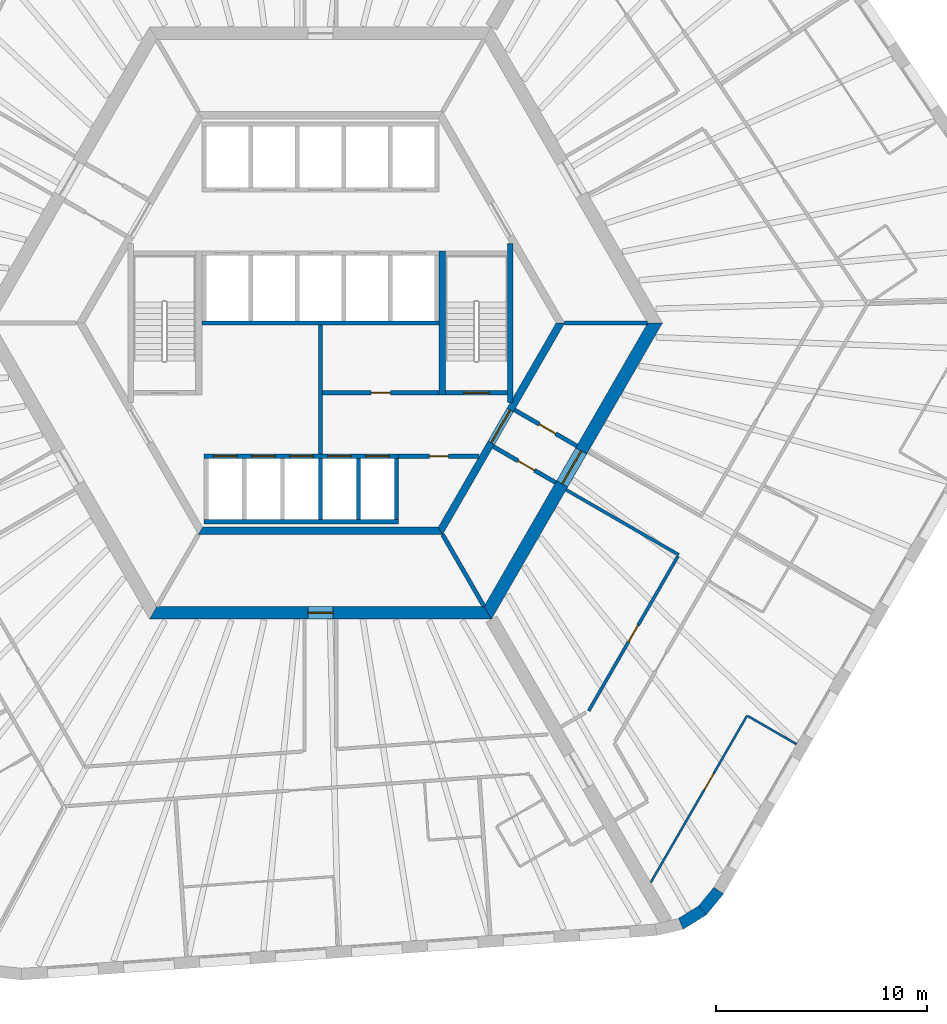
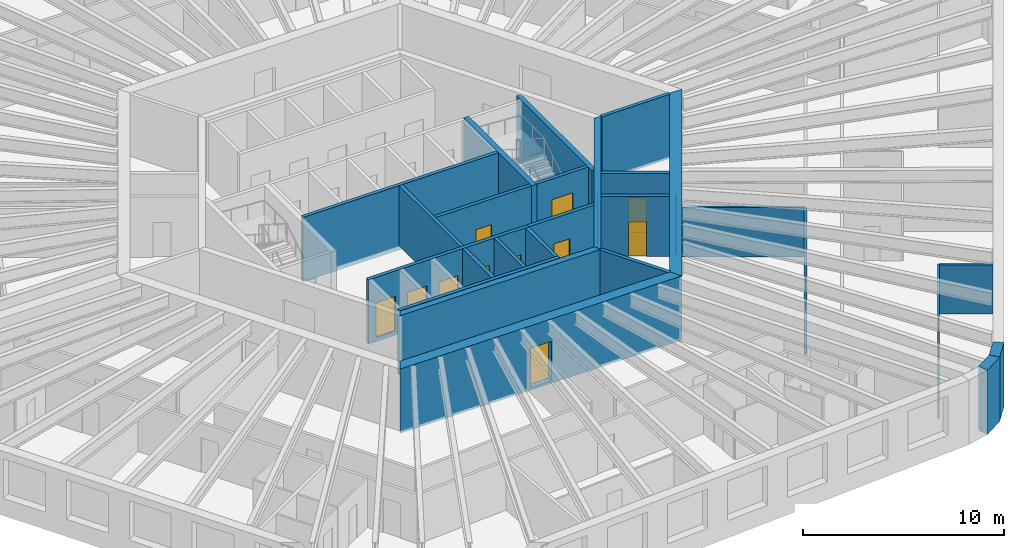
# One storey, part 5 of 12: 26 walls, 15 doors, 15 openings.
"""IFC4 building model written with IfcOpenShell, lengths in metres."""

from ifc_helpers import new_model, si_unit, direction, frame, frame_2d, origin, place, context, subcontext, project, spatial, polyline, rectangle, outline, extrude, material, layer, layer_set, type_object, element, fill, save


model = new_model("IFC4")

# Units and contexts
model_context = context("Model", 3, precision=1e-05, world=origin(), true_north=direction((0.0, 1.0)))
body_context = subcontext(model_context, "Body", "Model", "MODEL_VIEW")
ifc_project = project(units=[si_unit("LENGTHUNIT", "METRE"), si_unit("AREAUNIT", "SQUARE_METRE"), si_unit("VOLUMEUNIT", "CUBIC_METRE"), si_unit("PLANEANGLEUNIT", "RADIAN"), si_unit("MASSUNIT", "GRAM", prefix="KILO")], contexts=[model_context])

# Site, building, storey
site_placement = place(None, origin())
site = spatial("IfcSite", under=ifc_project, at=site_placement, CompositionType="ELEMENT")
building_placement = place(site_placement, origin())
building = spatial("IfcBuilding", under=site, at=building_placement, Name="Tarnside Tower", CompositionType="ELEMENT")
storey_placement = place(building_placement, frame((0.0, 0.0, 115.5)))
storey = spatial("IfcBuildingStorey", under=building, at=storey_placement, Name="L26", CompositionType="ELEMENT", Elevation=115.5)

# Wall
ifc_material_1 = material(Name="Concrete C50/60", Category="concrete")
ifc_layer_1 = layer(ifc_material_1, 0.35009765625)
ifc_layer_set_1 = layer_set([ifc_layer_1], Name="Core block wall 350 C50/60")
wall_type_1 = type_object("IfcWallType", Name="Core block wall 350 C50/60", PredefinedType="SHEAR", material=ifc_layer_set_1)
wall_1_placement = place(storey_placement, frame((-5.672607421875, -9.824951171875, -0.14990234375), z_axis=(0.0, 0.0, 1.0), x_axis=(1.0, 0.0, 0.0)))
element("IfcWall", 1, at=wall_1_placement, inside=storey, type_object=wall_type_1, Name="L26 core block wall face 4", PredefinedType="SHEAR", context=body_context, shape_type="SweptSolid", body=[
    extrude(outline(polyline([(-0.10107421875, -0.175048828125), (11.4462890625, -0.175048828125), (11.244140625, 0.175048828125), (0.10107421875, 0.175048828125), (-0.10107421875, -0.175048828125)])), origin(), (0.0, 0.0, 1.0), 3.89990234375),
])

# Wall, opening, door
wall_2_placement = place(storey_placement, frame((5.672607421875, -9.824951171875, -0.14990234375), z_axis=(0.0, 0.0, 1.0), x_axis=(0.499995046907, 0.866028263435, 0.0)))
wall_2 = element("IfcWall", 2, at=wall_2_placement, inside=storey, type_object=wall_type_1, Name="L26 core block wall face 5", PredefinedType="SHEAR", context=body_context, shape_type="SweptSolid", body=[
    extrude(outline(polyline([(-0.10107421875, -0.175048828125), (11.44580078125, -0.175048828125), (11.24365234375, 0.175048828125), (0.10107421875, 0.175048828125), (-0.10107421875, -0.175048828125)])), origin(), (0.0, 0.0, 1.0), 3.89990234375),
])
opening_1_placement = place(wall_2_placement, frame((4.80126953125, 0.0, 0.14990234375)))
opening_1 = element("IfcOpeningElement", 3, at=opening_1_placement, cuts=wall_2, Name="Opening CD-FFL", PredefinedType="OPENING", context=body_context, shape_type="SweptSolid", body=[
    extrude(rectangle(XDim=1.800048828125, YDim=2.39990234375, at=frame_2d((0.89990234375, 1.199951171875))), frame((0.0, 0.18505859375, 0.0), z_axis=(0.0, -1.0, 0.0), x_axis=(1.0, 0.0, 0.0)), (0.0, 0.0, 1.0), 0.3701171875),
])
ifc_material_2 = material(Name="Steel fire door", Category="steel")
door_type_1 = type_object("IfcDoorType", Name="Firefighting lobby double door FD60S 1800x2400", OperationType="NOTDEFINED", PredefinedType="DOOR", material=ifc_material_2)
door_1_placement = place(opening_1_placement, origin())
door_1 = element("IfcDoor", 4, at=door_1_placement, inside=storey, type_object=door_type_1, Name="L26 lobby block door P4", OperationType="DOUBLE_DOOR_SINGLE_SWING", OverallHeight=2.39990234375, OverallWidth=1.800048828125, PredefinedType="DOOR", context=body_context, shape_type="SweptSolid", body=[
    extrude(rectangle(XDim=1.800048828125, YDim=2.39990234375, at=frame_2d((0.89990234375, 1.199951171875))), frame((0.0, 0.02490234375, 0.0), z_axis=(0.0, -1.0, 0.0), x_axis=(1.0, 0.0, 0.0)), (0.0, 0.0, 1.0), 0.050048828125),
])
fill(opening_1, door_1)

ifc_material_3 = material(Name="Concrete C40/50", Category="concrete")
ifc_layer_2 = layer(ifc_material_3, 0.199951171875)
ifc_layer_set_2 = layer_set([ifc_layer_2], Name="Core room partition 200 C40/50")
wall_type_2 = type_object("IfcWallType", Name="Core room partition 200 C40/50", PredefinedType="PARTITIONING", material=ifc_layer_set_2)
wall_3_placement = place(storey_placement, frame((0.10009765625, -3.300048828125, 0.0), z_axis=(0.0, 0.0, 1.0), x_axis=(1.0, 0.0, 0.0)))
wall_3 = element("IfcWall", 5, at=wall_3_placement, inside=storey, type_object=wall_type_2, Name="L26 core partition R3S1", PredefinedType="PARTITIONING", context=body_context, shape_type="SweptSolid", body=[
    extrude(rectangle(XDim=5.5, YDim=0.199951171875, at=frame_2d((2.75, 0.0))), origin(), (0.0, 0.0, 1.0), 3.64990234375),
])
opening_2_placement = place(wall_3_placement, frame((2.300048828125, 0.0, 0.0)))
opening_2 = element("IfcOpeningElement", 6, at=opening_2_placement, cuts=wall_3, Name="Opening CD-room", PredefinedType="OPENING", context=body_context, shape_type="SweptSolid", body=[
    extrude(rectangle(XDim=0.89990234375, YDim=2.10009765625, at=frame_2d((0.449951171875, 1.050048828125))), frame((0.0, 0.10986328125, 0.0), z_axis=(0.0, -1.0, 0.0), x_axis=(1.0, 0.0, 0.0)), (0.0, 0.0, 1.0), 0.219970703125),
])
door_type_2 = type_object("IfcDoorType", Name="Room door FD60 900x2100", OperationType="NOTDEFINED", PredefinedType="DOOR", material=ifc_material_2)
door_2_placement = place(opening_2_placement, origin())
door_2 = element("IfcDoor", 7, at=door_2_placement, inside=storey, type_object=door_type_2, Name="L26 core room door SR1", OperationType="SINGLE_SWING_LEFT", OverallHeight=2.10009765625, OverallWidth=0.89990234375, PredefinedType="DOOR", context=body_context, shape_type="SweptSolid", body=[
    extrude(rectangle(XDim=0.89990234375, YDim=2.10009765625, at=frame_2d((0.449951171875, 1.050048828125))), frame((0.0, 0.02490234375, 0.0), z_axis=(0.0, -1.0, 0.0), x_axis=(1.0, 0.0, 0.0)), (0.0, 0.0, 1.0), 0.050048828125),
])
fill(opening_2, door_2)

# Wall
wall_4_placement = place(storey_placement, frame((0.0, -6.199951171875, 0.0), z_axis=(0.0, 0.0, 1.0), x_axis=(0.0, 1.0, 0.0)))
element("IfcWall", 8, at=wall_4_placement, inside=storey, type_object=wall_type_2, Name="L26 core partition X0", PredefinedType="PARTITIONING", context=body_context, shape_type="SweptSolid", body=[
    extrude(rectangle(XDim=6.099853515625, YDim=0.199951171875, at=frame_2d((3.0498046875, 0.0))), origin(), (0.0, 0.0, 1.0), 3.64990234375),
])

# Wall, opening, door
wall_5_placement = place(storey_placement, frame((3.699951171875, -6.300048828125, 0.0), z_axis=(0.0, 0.0, 1.0), x_axis=(1.0, 0.0, 0.0)))
wall_5 = element("IfcWall", 9, at=wall_5_placement, inside=storey, type_object=wall_type_2, Name="L26 core partition R4X", PredefinedType="PARTITIONING", context=body_context, shape_type="SweptSolid", body=[
    extrude(rectangle(XDim=3.8056640625, YDim=0.199951171875, at=frame_2d((1.90283203125, 0.0))), origin(), (0.0, 0.0, 1.0), 3.64990234375),
])
opening_3_placement = place(wall_5_placement, frame((1.452880859375, 0.0, 0.0)))
opening_3 = element("IfcOpeningElement", 10, at=opening_3_placement, cuts=wall_5, Name="Opening CD-room", PredefinedType="OPENING", context=body_context, shape_type="SweptSolid", body=[
    extrude(rectangle(XDim=0.89990234375, YDim=2.10009765625, at=frame_2d((0.449951171875, 1.050048828125))), frame((0.0, 0.10986328125, 0.0), z_axis=(0.0, -1.0, 0.0), x_axis=(1.0, 0.0, 0.0)), (0.0, 0.0, 1.0), 0.219970703125),
])
door_3_placement = place(opening_3_placement, origin())
door_3 = element("IfcDoor", 11, at=door_3_placement, inside=storey, type_object=door_type_2, Name="L26 core room door RX", OperationType="SINGLE_SWING_LEFT", OverallHeight=2.10009765625, OverallWidth=0.89990234375, PredefinedType="DOOR", context=body_context, shape_type="SweptSolid", body=[
    extrude(rectangle(XDim=0.89990234375, YDim=2.10009765625, at=frame_2d((0.449951171875, 1.050048828125))), frame((0.0, 0.02490234375, 0.0), z_axis=(0.0, -1.0, 0.0), x_axis=(1.0, 0.0, 0.0)), (0.0, 0.0, 1.0), 0.050048828125),
])
fill(opening_3, door_3)

wall_6_placement = place(storey_placement, frame((9.1748046875, -4.10888671875, 0.0), z_axis=(0.0, 0.0, 1.0), x_axis=(0.865989465428, -0.500062241894, 0.0)))
wall_6 = element("IfcWall", 12, at=wall_6_placement, inside=storey, type_object=wall_type_2, Name="L26 core partition AC4L", PredefinedType="PARTITIONING", context=body_context, shape_type="SweptSolid", body=[
    extrude(rectangle(XDim=3.39990234375, YDim=0.199951171875, at=frame_2d((1.699951171875, 0.0))), origin(), (0.0, 0.0, 1.0), 3.64990234375),
])
opening_4_placement = place(wall_6_placement, frame((1.3505859375, 0.0, 0.0)))
opening_4 = element("IfcOpeningElement", 13, at=opening_4_placement, cuts=wall_6, Name="Opening CD-room", PredefinedType="OPENING", context=body_context, shape_type="SweptSolid", body=[
    extrude(rectangle(XDim=0.89990234375, YDim=2.10009765625, at=frame_2d((0.449951171875, 1.050048828125))), frame((0.0, 0.10986328125, 0.0), z_axis=(0.0, -1.0, 0.0), x_axis=(1.0, 0.0, 0.0)), (0.0, 0.0, 1.0), 0.219970703125),
])
door_4_placement = place(opening_4_placement, origin())
door_4 = element("IfcDoor", 14, at=door_4_placement, inside=storey, type_object=door_type_2, Name="L26 core room door AX4L", OperationType="SINGLE_SWING_LEFT", OverallHeight=2.10009765625, OverallWidth=0.89990234375, PredefinedType="DOOR", context=body_context, shape_type="SweptSolid", body=[
    extrude(rectangle(XDim=0.89990234375, YDim=2.10009765625, at=frame_2d((0.449951171875, 1.050048828125))), frame((0.0, 0.02490234375, 0.0), z_axis=(0.0, -1.0, 0.0), x_axis=(1.0, 0.0, 0.0)), (0.0, 0.0, 1.0), 0.050048828125),
])
fill(opening_4, door_4)

wall_7_placement = place(storey_placement, frame((8.1748046875, -5.841064453125, 0.0), z_axis=(0.0, 0.0, 1.0), x_axis=(0.866020560687, -0.500008388397, 0.0)))
wall_7 = element("IfcWall", 15, at=wall_7_placement, inside=storey, type_object=wall_type_2, Name="L26 core partition AC4R", PredefinedType="PARTITIONING", context=body_context, shape_type="SweptSolid", body=[
    extrude(rectangle(XDim=3.39990234375, YDim=0.199951171875, at=frame_2d((1.699951171875, 0.0))), origin(), (0.0, 0.0, 1.0), 3.64990234375),
])
opening_5_placement = place(wall_7_placement, frame((1.349609375, 0.0, 0.0)))
opening_5 = element("IfcOpeningElement", 16, at=opening_5_placement, cuts=wall_7, Name="Opening CD-room", PredefinedType="OPENING", context=body_context, shape_type="SweptSolid", body=[
    extrude(rectangle(XDim=0.89990234375, YDim=2.10009765625, at=frame_2d((0.449951171875, 1.050048828125))), frame((0.0, 0.10986328125, 0.0), z_axis=(0.0, -1.0, 0.0), x_axis=(1.0, 0.0, 0.0)), (0.0, 0.0, 1.0), 0.219970703125),
])
door_5_placement = place(opening_5_placement, origin())
door_5 = element("IfcDoor", 17, at=door_5_placement, inside=storey, type_object=door_type_2, Name="L26 core room door AX4R", OperationType="SINGLE_SWING_LEFT", OverallHeight=2.10009765625, OverallWidth=0.89990234375, PredefinedType="DOOR", context=body_context, shape_type="SweptSolid", body=[
    extrude(rectangle(XDim=0.89990234375, YDim=2.10009765625, at=frame_2d((0.449951171875, 1.050048828125))), frame((0.0, 0.02490234375, 0.0), z_axis=(0.0, -1.0, 0.0), x_axis=(1.0, 0.0, 0.0)), (0.0, 0.0, 1.0), 0.050048828125),
])
fill(opening_5, door_5)

ifc_material_4 = material(Name="Concrete C80/95", Category="concrete")
ifc_layer_3 = layer(ifc_material_4, 0.60009765625)
ifc_layer_set_3 = layer_set([ifc_layer_3], Name="Core wall Z1 600 C80/95")
wall_type_3 = type_object("IfcWallType", Name="Core wall Z1 600 C80/95", PredefinedType="SHEAR", material=ifc_layer_set_3)
wall_8_placement = place(storey_placement, frame((-7.90966796875, -13.699951171875, -0.14990234375), z_axis=(0.0, 0.0, 1.0), x_axis=(1.0, 0.0, 0.0)))
wall_8 = element("IfcWall", 18, at=wall_8_placement, inside=storey, type_object=wall_type_3, Name="L26 core wall face 4", PredefinedType="SHEAR", context=body_context, shape_type="SweptSolid", body=[
    extrude(outline(polyline([(-0.17333984375, -0.300048828125), (15.99267578125, -0.300048828125), (15.64599609375, 0.300048828125), (0.17333984375, 0.300048828125), (-0.17333984375, -0.300048828125)])), origin(), (0.0, 0.0, 1.0), 3.89990234375),
])
opening_6_placement = place(wall_8_placement, frame((7.309814453125, 0.0, 0.14990234375)))
opening_6 = element("IfcOpeningElement", 19, at=opening_6_placement, cuts=wall_8, Name="Opening CD-RSR", PredefinedType="OPENING", context=body_context, shape_type="SweptSolid", body=[
    extrude(rectangle(XDim=1.199951171875, YDim=2.39990234375, at=frame_2d((0.60009765625, 1.199951171875))), frame((0.0, 0.31005859375, 0.0), z_axis=(0.0, -1.0, 0.0), x_axis=(1.0, 0.0, 0.0)), (0.0, 0.0, 1.0), 0.6201171875),
])
door_type_3 = type_object("IfcDoorType", Name="Riser door FD60 1200x2400", OperationType="NOTDEFINED", PredefinedType="DOOR", material=ifc_material_2)
door_6_placement = place(opening_6_placement, origin())
door_6 = element("IfcDoor", 20, at=door_6_placement, inside=storey, type_object=door_type_3, Name="L26 core door S6", OperationType="SINGLE_SWING_LEFT", OverallHeight=2.39990234375, OverallWidth=1.199951171875, PredefinedType="DOOR", context=body_context, shape_type="SweptSolid", body=[
    extrude(rectangle(XDim=1.199951171875, YDim=2.39990234375, at=frame_2d((0.60009765625, 1.199951171875))), frame((0.0, 0.02490234375, 0.0), z_axis=(0.0, -1.0, 0.0), x_axis=(1.0, 0.0, 0.0)), (0.0, 0.0, 1.0), 0.050048828125),
])
fill(opening_6, door_6)

wall_9_placement = place(storey_placement, frame((7.90966796875, -13.699951171875, -0.14990234375), z_axis=(0.0, 0.0, 1.0), x_axis=(0.499999880136, 0.866025472988, 0.0)))
wall_9 = element("IfcWall", 21, at=wall_9_placement, inside=storey, type_object=wall_type_3, Name="L26 core wall face 5", PredefinedType="SHEAR", context=body_context, shape_type="SweptSolid", body=[
    extrude(outline(polyline([(-0.17333984375, -0.300048828125), (15.99267578125, -0.300048828125), (15.64599609375, 0.300048828125), (0.17333984375, 0.300048828125), (-0.17333984375, -0.300048828125)])), origin(), (0.0, 0.0, 1.0), 3.89990234375),
])
opening_7_placement = place(wall_9_placement, frame((7.03857421875, 0.0, 0.14990234375)))
opening_7 = element("IfcOpeningElement", 22, at=opening_7_placement, cuts=wall_9, Name="Opening CD-FFL", PredefinedType="OPENING", context=body_context, shape_type="SweptSolid", body=[
    extrude(rectangle(XDim=1.800048828125, YDim=2.39990234375, at=frame_2d((0.89990234375, 1.199951171875))), frame((0.0, 0.31005859375, 0.0), z_axis=(0.0, -1.0, 0.0), x_axis=(1.0, 0.0, 0.0)), (0.0, 0.0, 1.0), 0.6201171875),
])
door_7_placement = place(opening_7_placement, origin())
door_7 = element("IfcDoor", 23, at=door_7_placement, inside=storey, type_object=door_type_1, Name="L26 core door P4", OperationType="DOUBLE_DOOR_SINGLE_SWING", OverallHeight=2.39990234375, OverallWidth=1.800048828125, PredefinedType="DOOR", context=body_context, shape_type="SweptSolid", body=[
    extrude(rectangle(XDim=1.800048828125, YDim=2.39990234375, at=frame_2d((0.89990234375, 1.199951171875))), frame((0.0, 0.02490234375, 0.0), z_axis=(0.0, -1.0, 0.0), x_axis=(1.0, 0.0, 0.0)), (0.0, 0.0, 1.0), 0.050048828125),
])
fill(opening_7, door_7)

# Wall
ifc_material_5 = material(Name="Gypsum board partition on steel studs", Category="steel")
ifc_layer_4 = layer(ifc_material_5, 0.14990234375)
ifc_layer_set_4 = layer_set([ifc_layer_4], Name="Corridor wall 150 EI 60")
wall_type_4 = type_object("IfcWallType", Name="Corridor wall 150 EI 60", PredefinedType="PARTITIONING", material=ifc_layer_set_4)
wall_10_placement = place(storey_placement, frame((11.61376953125, -7.88427734375, 0.0), z_axis=(0.0, 0.0, 1.0), x_axis=(0.866033542371, -0.499985903289, 0.0)))
element("IfcWall", 24, at=wall_10_placement, inside=storey, type_object=wall_type_4, Name="Corridor wall 08066", PredefinedType="PARTITIONING", context=body_context, shape_type="SweptSolid", body=[
    extrude(rectangle(XDim=6.150146484375, YDim=0.14990234375, at=frame_2d((3.0751953125, 0.0))), origin(), (0.0, 0.0, 1.0), 2.98779296875),
])

# Wall, opening, door
wall_11_placement = place(storey_placement, frame((16.90234375, -11.024169921875, 0.0), z_axis=(0.0, 0.0, 1.0), x_axis=(-0.499999527968, -0.866025676312, 0.0)))
wall_11 = element("IfcWall", 25, at=wall_11_placement, inside=storey, type_object=wall_type_4, Name="Corridor wall 08067", PredefinedType="PARTITIONING", context=body_context, shape_type="SweptSolid", body=[
    extrude(rectangle(XDim=8.44091796875, YDim=0.14990234375, at=frame_2d((4.220458984375, 0.0))), origin(), (0.0, 0.0, 1.0), 2.98779296875),
])
opening_8_placement = place(wall_11_placement, frame((3.7705078125, 0.0, 0.0)))
opening_8 = element("IfcOpeningElement", 26, at=opening_8_placement, cuts=wall_11, Name="Opening D-S1", PredefinedType="OPENING", context=body_context, shape_type="SweptSolid", body=[
    extrude(rectangle(XDim=0.89990234375, YDim=2.10009765625, at=frame_2d((0.449951171875, 1.050048828125))), frame((0.0, 0.0849609375, 0.0), z_axis=(0.0, -1.0, 0.0), x_axis=(1.0, 0.0, 0.0)), (0.0, 0.0, 1.0), 0.169921875),
])
ifc_material_6 = material(Name="Timber door leaf", Category="wood")
door_type_4 = type_object("IfcDoorType", Name="Service room door 900 FD30S", OperationType="NOTDEFINED", PredefinedType="DOOR", material=ifc_material_6)
door_8_placement = place(opening_8_placement, origin())
door_8 = element("IfcDoor", 27, at=door_8_placement, inside=storey, type_object=door_type_4, Name="Service door 08047", OperationType="SINGLE_SWING_RIGHT", OverallHeight=2.10009765625, OverallWidth=0.89990234375, PredefinedType="DOOR", context=body_context, shape_type="SweptSolid", body=[
    extrude(rectangle(XDim=0.89990234375, YDim=2.10009765625, at=frame_2d((0.449951171875, 1.050048828125))), frame((0.0, 0.02490234375, 0.0), z_axis=(0.0, -1.0, 0.0), x_axis=(1.0, 0.0, 0.0)), (0.0, 0.0, 1.0), 0.050048828125),
])
fill(opening_8, door_8)

# Wall
ifc_layer_5 = layer(ifc_material_3, 0.199951171875)
ifc_layer_set_5 = layer_set([ifc_layer_5], Name="Lift shaft wall 200 C40/50")
wall_type_5 = type_object("IfcWallType", Name="Lift shaft wall 200 C40/50", PredefinedType="SHEAR", material=ifc_layer_set_5)
wall_12_placement = place(storey_placement, frame((-5.60009765625, 0.0, -0.25), z_axis=(0.0, 0.0, 1.0), x_axis=(1.0, 0.0, 0.0)))
element("IfcWall", 28, at=wall_12_placement, inside=storey, type_object=wall_type_5, Name="L26 lift shaft back wall R2", PredefinedType="SHEAR", context=body_context, shape_type="SweptSolid", body=[
    extrude(rectangle(XDim=11.2001953125, YDim=0.199951171875, at=frame_2d((5.60009765625, 0.0))), origin(), (0.0, 0.0, 1.0), 3.89990234375),
])

# Wall, openings, doors
wall_13_placement = place(storey_placement, frame((-5.5, -6.300048828125, -0.25), z_axis=(0.0, 0.0, 1.0), x_axis=(1.0, 0.0, 0.0)))
wall_13 = element("IfcWall", 29, at=wall_13_placement, inside=storey, type_object=wall_type_5, Name="L26 lift shaft front wall R4", PredefinedType="SHEAR", context=body_context, shape_type="SweptSolid", body=[
    extrude(rectangle(XDim=9.199951171875, YDim=0.199951171875, at=frame_2d((4.60009765625, 0.0))), origin(), (0.0, 0.0, 1.0), 3.89990234375),
])
opening_9_placement = place(wall_13_placement, frame((0.449951171875, 0.0, 0.25)))
opening_9 = element("IfcOpeningElement", 30, at=opening_9_placement, cuts=wall_13, Name="Opening LDF", PredefinedType="OPENING", context=body_context, shape_type="SweptSolid", body=[
    extrude(rectangle(XDim=1.10009765625, YDim=2.10009765625, at=frame_2d((0.550048828125, 1.050048828125))), frame((0.0, 0.10986328125, 0.0), z_axis=(0.0, -1.0, 0.0), x_axis=(1.0, 0.0, 0.0)), (0.0, 0.0, 1.0), 0.219970703125),
])
opening_10_placement = place(wall_13_placement, frame((2.25, 0.0, 0.25)))
opening_10 = element("IfcOpeningElement", 31, at=opening_10_placement, cuts=wall_13, Name="Opening LDF", PredefinedType="OPENING", context=body_context, shape_type="SweptSolid", body=[
    extrude(rectangle(XDim=1.10009765625, YDim=2.10009765625, at=frame_2d((0.550048828125, 1.050048828125))), frame((0.0, 0.10986328125, 0.0), z_axis=(0.0, -1.0, 0.0), x_axis=(1.0, 0.0, 0.0)), (0.0, 0.0, 1.0), 0.219970703125),
])
opening_11_placement = place(wall_13_placement, frame((4.050048828125, 0.0, 0.25)))
opening_11 = element("IfcOpeningElement", 32, at=opening_11_placement, cuts=wall_13, Name="Opening LDF", PredefinedType="OPENING", context=body_context, shape_type="SweptSolid", body=[
    extrude(rectangle(XDim=1.10009765625, YDim=2.10009765625, at=frame_2d((0.550048828125, 1.050048828125))), frame((0.0, 0.10986328125, 0.0), z_axis=(0.0, -1.0, 0.0), x_axis=(1.0, 0.0, 0.0)), (0.0, 0.0, 1.0), 0.219970703125),
])
opening_12_placement = place(wall_13_placement, frame((5.85009765625, 0.0, 0.25)))
opening_12 = element("IfcOpeningElement", 33, at=opening_12_placement, cuts=wall_13, Name="Opening LDF", PredefinedType="OPENING", context=body_context, shape_type="SweptSolid", body=[
    extrude(rectangle(XDim=1.10009765625, YDim=2.10009765625, at=frame_2d((0.550048828125, 1.050048828125))), frame((0.0, 0.10986328125, 0.0), z_axis=(0.0, -1.0, 0.0), x_axis=(1.0, 0.0, 0.0)), (0.0, 0.0, 1.0), 0.219970703125),
])
opening_13_placement = place(wall_13_placement, frame((7.64990234375, 0.0, 0.25)))
opening_13 = element("IfcOpeningElement", 34, at=opening_13_placement, cuts=wall_13, Name="Opening LDF", PredefinedType="OPENING", context=body_context, shape_type="SweptSolid", body=[
    extrude(rectangle(XDim=1.10009765625, YDim=2.10009765625, at=frame_2d((0.550048828125, 1.050048828125))), frame((0.0, 0.10986328125, 0.0), z_axis=(0.0, -1.0, 0.0), x_axis=(1.0, 0.0, 0.0)), (0.0, 0.0, 1.0), 0.219970703125),
])
ifc_material_7 = material(Name="Stainless steel", Category="steel")
door_type_5 = type_object("IfcDoorType", Name="Lift landing door 1100x2100 EI 120", OperationType="NOTDEFINED", PredefinedType="DOOR", material=ifc_material_7)
door_9_placement = place(opening_9_placement, origin())
door_9 = element("IfcDoor", 35, at=door_9_placement, inside=storey, type_object=door_type_5, Name="Firefighting lift 1 landing door L26", OperationType="SLIDING_TO_LEFT", OverallHeight=2.10009765625, OverallWidth=1.10009765625, PredefinedType="DOOR", context=body_context, shape_type="SweptSolid", body=[
    extrude(rectangle(XDim=1.10009765625, YDim=2.10009765625, at=frame_2d((0.550048828125, 1.050048828125))), frame((0.0, 0.02490234375, 0.0), z_axis=(0.0, -1.0, 0.0), x_axis=(1.0, 0.0, 0.0)), (0.0, 0.0, 1.0), 0.050048828125),
])
fill(opening_9, door_9)
door_10_placement = place(opening_10_placement, origin())
door_10 = element("IfcDoor", 36, at=door_10_placement, inside=storey, type_object=door_type_5, Name="Firefighting lift 2 landing door L26", OperationType="SLIDING_TO_LEFT", OverallHeight=2.10009765625, OverallWidth=1.10009765625, PredefinedType="DOOR", context=body_context, shape_type="SweptSolid", body=[
    extrude(rectangle(XDim=1.10009765625, YDim=2.10009765625, at=frame_2d((0.550048828125, 1.050048828125))), frame((0.0, 0.02490234375, 0.0), z_axis=(0.0, -1.0, 0.0), x_axis=(1.0, 0.0, 0.0)), (0.0, 0.0, 1.0), 0.050048828125),
])
fill(opening_10, door_10)
door_11_placement = place(opening_11_placement, origin())
door_11 = element("IfcDoor", 37, at=door_11_placement, inside=storey, type_object=door_type_5, Name="Firefighting lift 3 landing door L26", OperationType="SLIDING_TO_LEFT", OverallHeight=2.10009765625, OverallWidth=1.10009765625, PredefinedType="DOOR", context=body_context, shape_type="SweptSolid", body=[
    extrude(rectangle(XDim=1.10009765625, YDim=2.10009765625, at=frame_2d((0.550048828125, 1.050048828125))), frame((0.0, 0.02490234375, 0.0), z_axis=(0.0, -1.0, 0.0), x_axis=(1.0, 0.0, 0.0)), (0.0, 0.0, 1.0), 0.050048828125),
])
fill(opening_11, door_11)
door_12_placement = place(opening_12_placement, origin())
door_12 = element("IfcDoor", 38, at=door_12_placement, inside=storey, type_object=door_type_5, Name="Firefighting lift 4 landing door L26", OperationType="SLIDING_TO_LEFT", OverallHeight=2.10009765625, OverallWidth=1.10009765625, PredefinedType="DOOR", context=body_context, shape_type="SweptSolid", body=[
    extrude(rectangle(XDim=1.10009765625, YDim=2.10009765625, at=frame_2d((0.550048828125, 1.050048828125))), frame((0.0, 0.02490234375, 0.0), z_axis=(0.0, -1.0, 0.0), x_axis=(1.0, 0.0, 0.0)), (0.0, 0.0, 1.0), 0.050048828125),
])
fill(opening_12, door_12)
door_13_placement = place(opening_13_placement, origin())
door_13 = element("IfcDoor", 39, at=door_13_placement, inside=storey, type_object=door_type_5, Name="Firefighting lift 5 landing door L26", OperationType="SLIDING_TO_LEFT", OverallHeight=2.10009765625, OverallWidth=1.10009765625, PredefinedType="DOOR", context=body_context, shape_type="SweptSolid", body=[
    extrude(rectangle(XDim=1.10009765625, YDim=2.10009765625, at=frame_2d((0.550048828125, 1.050048828125))), frame((0.0, 0.02490234375, 0.0), z_axis=(0.0, -1.0, 0.0), x_axis=(1.0, 0.0, 0.0)), (0.0, 0.0, 1.0), 0.050048828125),
])
fill(opening_13, door_13)

# Walls
wall_14_placement = place(storey_placement, frame((-5.5, -9.39990234375, -0.25), z_axis=(0.0, 0.0, 1.0), x_axis=(1.0, 0.0, 0.0)))
element("IfcWall", 40, at=wall_14_placement, inside=storey, type_object=wall_type_5, Name="L26 lift shaft back wall R4", PredefinedType="SHEAR", context=body_context, shape_type="SweptSolid", body=[
    extrude(rectangle(XDim=9.199951171875, YDim=0.199951171875, at=frame_2d((4.60009765625, 0.0))), origin(), (0.0, 0.0, 1.0), 3.89990234375),
])
for number, where, z_axis, x_axis, name in (
    (41, (0.0, -9.300048828125, -0.25), (0.0, 0.0, 1.0), (0.0, 1.0, 0.0), "L26 lift shaft partition R44"),
    (42, (1.800048828125, -9.300048828125, -0.25), (0.0, 0.0, 1.0), (0.0, 1.0, 0.0), "L26 lift shaft partition R45"),
    (43, (3.60009765625, -9.300048828125, -0.25), (0.0, 0.0, 1.0), (0.0, 1.0, 0.0), "L26 lift shaft partition R46"),
):
    element("IfcWall", number, at=place(storey_placement, frame(where, z_axis=z_axis, x_axis=x_axis)), inside=storey, type_object=wall_type_5, Name=name, PredefinedType="SHEAR", context=body_context, shape_type="SweptSolid", body=[
        extrude(rectangle(XDim=2.900146484375, YDim=0.199951171875, at=frame_2d((1.4501953125, 0.0))), origin(), (0.0, 0.0, 1.0), 3.89990234375),
    ])
wall_15_placement = place(storey_placement, frame((11.547119140625, 0.0, -0.14990234375), z_axis=(0.0, 0.0, 1.0), x_axis=(1.0, 0.0, 0.0)))
element("IfcWall", 44, at=wall_15_placement, inside=storey, type_object=wall_type_5, Name="L26 core partition AR0", PredefinedType="SHEAR", context=body_context, shape_type="SweptSolid", body=[
    extrude(rectangle(XDim=3.92578125, YDim=0.199951171875, at=frame_2d((1.962890625, 0.0))), origin(), (0.0, 0.0, 1.0), 3.89990234375),
])
wall_16_placement = place(storey_placement, frame((5.7734375, -10.0, -0.14990234375), z_axis=(0.0, 0.0, 1.0), x_axis=(0.500038251005, -0.86600331843, 0.0)))
element("IfcWall", 45, at=wall_16_placement, inside=storey, type_object=wall_type_5, Name="L26 core partition AR300", PredefinedType="SHEAR", context=body_context, shape_type="SweptSolid", body=[
    extrude(rectangle(XDim=3.926025390625, YDim=0.199951171875, at=frame_2d((1.962890625, 0.0))), origin(), (0.0, 0.0, 1.0), 3.89990234375),
])

# Wall, opening, door
wall_17_placement = place(storey_placement, frame((5.89990234375, -3.300048828125, -0.25), z_axis=(0.0, 0.0, 1.0), x_axis=(1.0, 0.0, 0.0)))
wall_17 = element("IfcWall", 46, at=wall_17_placement, inside=storey, type_object=wall_type_5, Name="L26 stair 1 enclosure cap wall s", PredefinedType="SHEAR", context=body_context, shape_type="SweptSolid", body=[
    extrude(rectangle(XDim=2.9501953125, YDim=0.199951171875, at=frame_2d((1.47509765625, 0.0))), origin(), (0.0, 0.0, 1.0), 3.89990234375),
])
opening_14_placement = place(wall_17_placement, frame((0.875, 0.0, 0.25)))
opening_14 = element("IfcOpeningElement", 47, at=opening_14_placement, cuts=wall_17, Name="Opening CD-STR", PredefinedType="OPENING", context=body_context, shape_type="SweptSolid", body=[
    extrude(rectangle(XDim=1.199951171875, YDim=2.39990234375, at=frame_2d((0.60009765625, 1.199951171875))), frame((0.0, 0.10986328125, 0.0), z_axis=(0.0, -1.0, 0.0), x_axis=(1.0, 0.0, 0.0)), (0.0, 0.0, 1.0), 0.219970703125),
])
door_type_6 = type_object("IfcDoorType", Name="Stair door FD60S 1200x2400", OperationType="NOTDEFINED", PredefinedType="DOOR", material=ifc_material_2)
door_14_placement = place(opening_14_placement, origin())
door_14 = element("IfcDoor", 48, at=door_14_placement, inside=storey, type_object=door_type_6, Name="L26 stair 1 door", OperationType="SINGLE_SWING_LEFT", OverallHeight=2.39990234375, OverallWidth=1.199951171875, PredefinedType="DOOR", context=body_context, shape_type="SweptSolid", body=[
    extrude(rectangle(XDim=1.199951171875, YDim=2.39990234375, at=frame_2d((0.60009765625, 1.199951171875))), frame((0.0, 0.02490234375, 0.0), z_axis=(0.0, -1.0, 0.0), x_axis=(1.0, 0.0, 0.0)), (0.0, 0.0, 1.0), 0.050048828125),
])
fill(opening_14, door_14)

ifc_layer_6 = layer(ifc_material_5, 0.10009765625)
ifc_layer_set_6 = layer_set([ifc_layer_6], Name="Partition 100")
wall_type_6 = type_object("IfcWallType", Name="Partition 100", PredefinedType="PARTITIONING", material=ifc_layer_set_6)
wall_18_placement = place(storey_placement, frame((15.617431640625, -26.449951171875, 0.0), z_axis=(0.0, 0.0, 1.0), x_axis=(0.499984630745, 0.866034277046, 0.0)))
wall_18 = element("IfcWall", 49, at=wall_18_placement, inside=storey, type_object=wall_type_6, Name="Partition wall 08127", PredefinedType="PARTITIONING", context=body_context, shape_type="SweptSolid", body=[
    extrude(rectangle(XDim=9.108642578125, YDim=0.10009765625, at=frame_2d((4.55419921875, 0.0))), origin(), (0.0, 0.0, 1.0), 2.98779296875),
])
opening_15_placement = place(wall_18_placement, frame((5.058837890625, 0.0, 0.0)))
opening_15 = element("IfcOpeningElement", 50, at=opening_15_placement, cuts=wall_18, Name="Opening D-I1", PredefinedType="OPENING", context=body_context, shape_type="SweptSolid", body=[
    extrude(rectangle(XDim=0.89990234375, YDim=2.10009765625, at=frame_2d((0.449951171875, 1.050048828125))), frame((0.0, 0.06005859375, 0.0), z_axis=(0.0, -1.0, 0.0), x_axis=(1.0, 0.0, 0.0)), (0.0, 0.0, 1.0), 0.1201171875),
])
door_type_7 = type_object("IfcDoorType", Name="Internal door 900", OperationType="NOTDEFINED", PredefinedType="DOOR", material=ifc_material_6)
door_15_placement = place(opening_15_placement, origin())
door_15 = element("IfcDoor", 51, at=door_15_placement, inside=storey, type_object=door_type_7, Name="Internal door 08030", OperationType="SINGLE_SWING_LEFT", OverallHeight=2.10009765625, OverallWidth=0.89990234375, PredefinedType="DOOR", context=body_context, shape_type="SweptSolid", body=[
    extrude(rectangle(XDim=0.89990234375, YDim=2.10009765625, at=frame_2d((0.449951171875, 1.050048828125))), frame((0.0, 0.02490234375, 0.0), z_axis=(0.0, -1.0, 0.0), x_axis=(1.0, 0.0, 0.0)), (0.0, 0.0, 1.0), 0.050048828125),
])
fill(opening_15, door_15)

# Walls
wall_19_placement = place(storey_placement, frame((20.215087890625, -18.586669921875, 0.0), z_axis=(0.0, 0.0, 1.0), x_axis=(0.866029095148, -0.499993606316, 0.0)))
element("IfcWall", 52, at=wall_19_placement, inside=storey, type_object=wall_type_6, Name="Partition wall 08128", PredefinedType="PARTITIONING", context=body_context, shape_type="SweptSolid", body=[
    extrude(rectangle(XDim=2.64990234375, YDim=0.10009765625, at=frame_2d((1.324951171875, 0.0))), origin(), (0.0, 0.0, 1.0), 2.98779296875),
])
ifc_layer_7 = layer(ifc_material_3, 0.25)
ifc_layer_set_7 = layer_set([ifc_layer_7], Name="Stair enclosure wall 250 C40/50")
wall_type_7 = type_object("IfcWallType", Name="Stair enclosure wall 250 C40/50", PredefinedType="SHEAR", material=ifc_layer_set_7)
wall_20_placement = place(storey_placement, frame((8.97509765625, -3.7548828125, -0.25), z_axis=(0.0, 0.0, 1.0), x_axis=(0.0, 1.0, 0.0)))
element("IfcWall", 53, at=wall_20_placement, inside=storey, type_object=wall_type_7, Name="L26 stair 1 enclosure wall outer", PredefinedType="SHEAR", context=body_context, shape_type="SweptSolid", body=[
    extrude(rectangle(XDim=7.509765625, YDim=0.25, at=frame_2d((3.7548828125, 0.0))), origin(), (0.0, 0.0, 1.0), 3.89990234375),
])
ifc_layer_8 = layer(ifc_material_3, 0.300048828125)
ifc_layer_set_8 = layer_set([ifc_layer_8], Name="Stair enclosure wall 300 C40/50")
wall_type_8 = type_object("IfcWallType", Name="Stair enclosure wall 300 C40/50", PredefinedType="SHEAR", material=ifc_layer_set_8)
wall_21_placement = place(storey_placement, frame((5.75, -3.39990234375, -0.25), z_axis=(0.0, 0.0, 1.0), x_axis=(0.0, 1.0, 0.0)))
element("IfcWall", 54, at=wall_21_placement, inside=storey, type_object=wall_type_8, Name="L26 stair 1 enclosure wall inner", PredefinedType="SHEAR", context=body_context, shape_type="SweptSolid", body=[
    extrude(rectangle(XDim=6.7998046875, YDim=0.300048828125, at=frame_2d((3.39990234375, 0.0))), origin(), (0.0, 0.0, 1.0), 3.89990234375),
])
ifc_material_8 = material(Name="Facing brick", Category="masonry")
ifc_layer_9 = layer(ifc_material_8, 0.10205078125)
ifc_material_9 = material(Name="Concrete C60/75 precast", Category="concrete")
ifc_layer_10 = layer(ifc_material_9, 0.347900390625)
ifc_material_10 = material(Name="Mineral wool insulation")
ifc_layer_11 = layer(ifc_material_10, 0.10009765625)
ifc_layer_set_9 = layer_set([ifc_layer_9, ifc_layer_10, ifc_layer_11], Name="Tube wall 550 brick faced")
wall_type_9 = type_object("IfcWallType", Name="Tube wall 550 brick faced", PredefinedType="SOLIDWALL", material=ifc_layer_set_9)
wall_22_placement = place(storey_placement, frame((17.0400390625, -28.40966796875, -0.14990234375), z_axis=(0.0, 0.0, 1.0), x_axis=(0.847952888306, 0.530071598195, 0.0)))
element("IfcWall", 55, at=wall_22_placement, inside=storey, type_object=wall_type_9, Name="Tube wall L26 F4 chord 14", PredefinedType="SOLIDWALL", context=body_context, shape_type="SweptSolid", body=[
    extrude(outline(polyline([(-0.045166015625, -0.27490234375), (1.253173828125, -0.27490234375), (1.162841796875, 0.27490234375), (0.045166015625, 0.27490234375), (-0.045166015625, -0.27490234375)])), origin(), (0.0, 0.0, 1.0), 3.89990234375),
])
wall_23_placement = place(storey_placement, frame((18.064453125, -27.769287109375, -0.14990234375), z_axis=(0.0, 0.0, 1.0), x_axis=(0.633842757806, 0.773461930787, 0.0)))
element("IfcWall", 56, at=wall_23_placement, inside=storey, type_object=wall_type_9, Name="Tube wall L26 F4 chord 15", PredefinedType="SOLIDWALL", context=body_context, shape_type="SweptSolid", body=[
    extrude(outline(polyline([(-0.045166015625, -0.27490234375), (1.230712890625, -0.27490234375), (1.185791015625, 0.27490234375), (0.045166015625, 0.27490234375), (-0.045166015625, -0.27490234375)])), origin(), (0.0, 0.0, 1.0), 3.89990234375),
])

save(model, "model.ifc")
